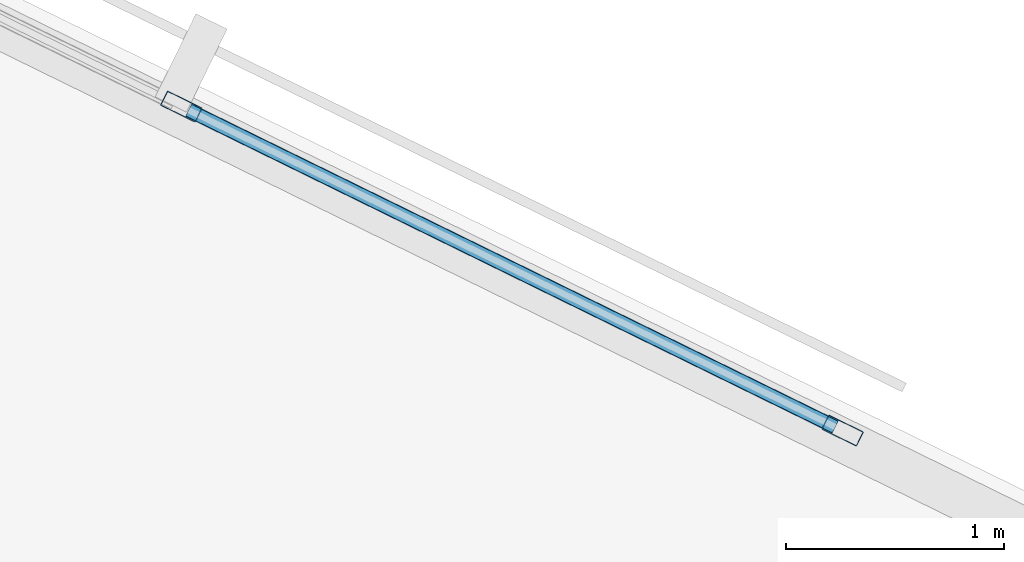
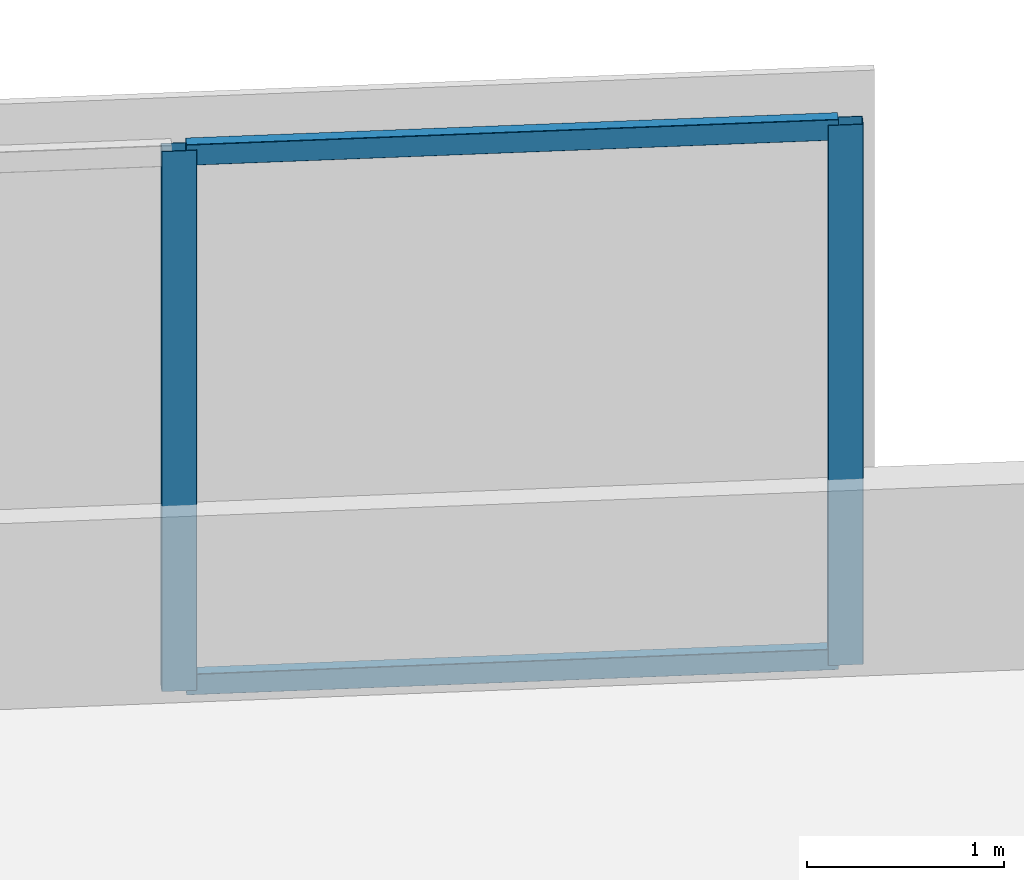
# One storey, part 2 of 19: 4 members, 1 element without a shape of its own.
"""IFC4 building model written with IfcOpenShell, lengths in metres."""

from ifc_helpers import new_model, si_unit, direction, frame, origin, origin_2d, place, context, subcontext, project, spatial, hollow_rectangle, extrude, material, material_profile, profile_set, type_object, element, aggregate, save


model = new_model("IFC4")

# Units and contexts
model_context = context("Model", 3, precision=1e-05, world=origin(), true_north=direction((0.0, 1.0)))
body_context = subcontext(model_context, "Body", "Model", "MODEL_VIEW")
ifc_project = project(units=[si_unit("LENGTHUNIT", "METRE"), si_unit("AREAUNIT", "SQUARE_METRE"), si_unit("VOLUMEUNIT", "CUBIC_METRE"), si_unit("PLANEANGLEUNIT", "RADIAN"), si_unit("MASSUNIT", "GRAM", prefix="KILO")], contexts=[model_context])

# Site, building, storey
site_placement = place(None, origin())
site = spatial("IfcSite", under=ifc_project, at=site_placement, CompositionType="ELEMENT")
building_placement = place(site_placement, origin())
building = spatial("IfcBuilding", under=site, at=building_placement, Name="Narakoshi Arena Tower", CompositionType="ELEMENT")
storey_placement = place(building_placement, frame((0.0, 0.0, 113.699951171875)))
storey = spatial("IfcBuildingStorey", under=building, at=storey_placement, Name="L30", CompositionType="ELEMENT", Elevation=113.699951171875)

# Curtain wall, members
ifc_material = material(Name="Anodised bronze aluminium 6063-T6", Category="aluminium")
curtain_wall_type = type_object("IfcCurtainWallType", Name="CW-HYP-LOW", PredefinedType="NOTDEFINED", material=ifc_material)
curtain_wall_placement = place(storey_placement, origin())
curtain_wall = element("IfcCurtainWall", 1, at=curtain_wall_placement, inside=storey, type_object=curtain_wall_type, Name="L30 Folded Hypotenuse Curtain Wall 2-1", PredefinedType="NOTDEFINED")
ifc_material_profile_1 = material_profile(ifc_material, hollow_rectangle(XDim=0.074951171875, YDim=0.179931640625, WallThickness=0.00390625, OuterFilletRadius=0.0048828125, at=origin_2d()), Name="MUL180x75x4")
ifc_profile_set_1 = profile_set([ifc_material_profile_1], Name="Anodised bronze aluminium 6063-T6")
member_type_1 = type_object("IfcMemberType", Name="MEM-MUL-180", PredefinedType="MULLION", material=ifc_profile_set_1)
member_1_placement = place(storey_placement, frame((87.598876953125, 62.51513671875, 0.0), z_axis=(0.0, 0.0, 1.0), x_axis=(-0.440004510198, -0.89799556291, 0.0)))
member_1 = element("IfcMember", 2, at=member_1_placement, type_object=member_type_1, Name="CW-01 mullion 1", PredefinedType="MULLION", context=body_context, shape_type="SweptSolid", body=[
    extrude(hollow_rectangle(XDim=0.074951171875, YDim=0.179931640625, WallThickness=0.00390625, OuterFilletRadius=0.0048828125, at=origin_2d()), origin(), (0.0, 0.0, 1.0), 3.340087890625),
])
member_2_placement = place(storey_placement, frame((84.559326171875, 64.00439453125, 0.0), z_axis=(0.0, 0.0, 1.0), x_axis=(-0.440004510198, -0.89799556291, 0.0)))
member_2 = element("IfcMember", 3, at=member_2_placement, type_object=member_type_1, Name="CW-01 mullion 2", PredefinedType="MULLION", context=body_context, shape_type="SweptSolid", body=[
    extrude(hollow_rectangle(XDim=0.074951171875, YDim=0.179931640625, WallThickness=0.00390625, OuterFilletRadius=0.0048828125, at=origin_2d()), origin(), (0.0, 0.0, 1.0), 3.340087890625),
])
ifc_material_profile_2 = material_profile(ifc_material, hollow_rectangle(XDim=0.06494140625, YDim=0.1298828125, WallThickness=0.00390625, OuterFilletRadius=0.0048828125, at=origin_2d()), Name="TRN130x65x4")
ifc_profile_set_2 = profile_set([ifc_material_profile_2], Name="Anodised bronze aluminium 6063-T6")
member_type_2 = type_object("IfcMemberType", Name="MEM-TRN-130", PredefinedType="USERDEFINED", material=ifc_profile_set_2)
member_3_placement = place(storey_placement, frame((87.565185546875, 62.531494140625, 0.032470703125), z_axis=(-0.897968733038, 0.44005926247, 0.0), x_axis=(-0.44005926247, -0.897968733038, 0.0)))
member_3 = element("IfcMember", 4, at=member_3_placement, type_object=member_type_2, Name="CW-01 transom 1.1", ObjectType="TRANSOM", PredefinedType="USERDEFINED", context=body_context, shape_type="SweptSolid", body=[
    extrude(hollow_rectangle(XDim=0.06494140625, YDim=0.1298828125, WallThickness=0.00390625, OuterFilletRadius=0.0048828125, at=origin_2d()), origin(), (0.0, 0.0, 1.0), 3.309814453125),
])
member_4_placement = place(storey_placement, frame((87.565185546875, 62.531494140625, 3.3076171875), z_axis=(-0.897968733038, 0.44005926247, 0.0), x_axis=(-0.44005926247, -0.897968733038, 0.0)))
member_4 = element("IfcMember", 5, at=member_4_placement, type_object=member_type_2, Name="CW-01 transom 1.2", ObjectType="TRANSOM", PredefinedType="USERDEFINED", context=body_context, shape_type="SweptSolid", body=[
    extrude(hollow_rectangle(XDim=0.06494140625, YDim=0.1298828125, WallThickness=0.00390625, OuterFilletRadius=0.0048828125, at=origin_2d()), origin(), (0.0, 0.0, 1.0), 3.309814453125),
])
aggregate(curtain_wall, [member_1, member_2, member_3, member_4])

save(model, "model.ifc")
